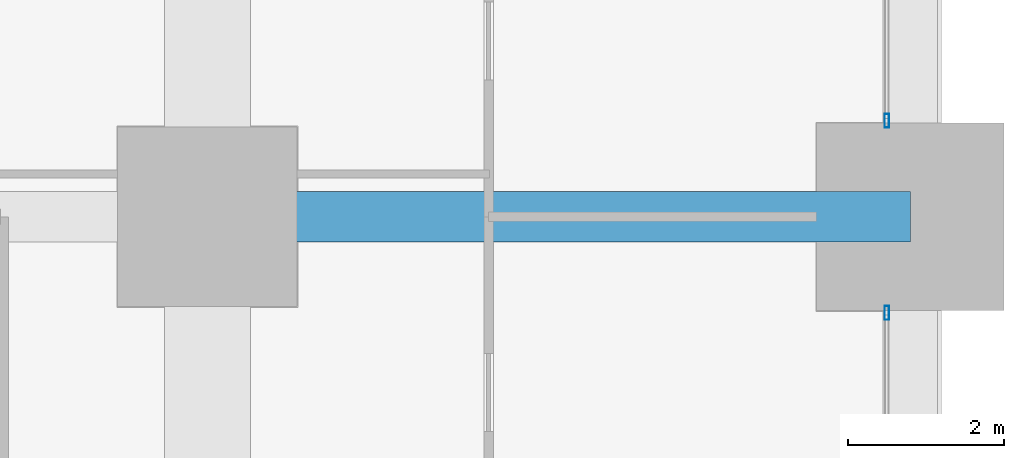
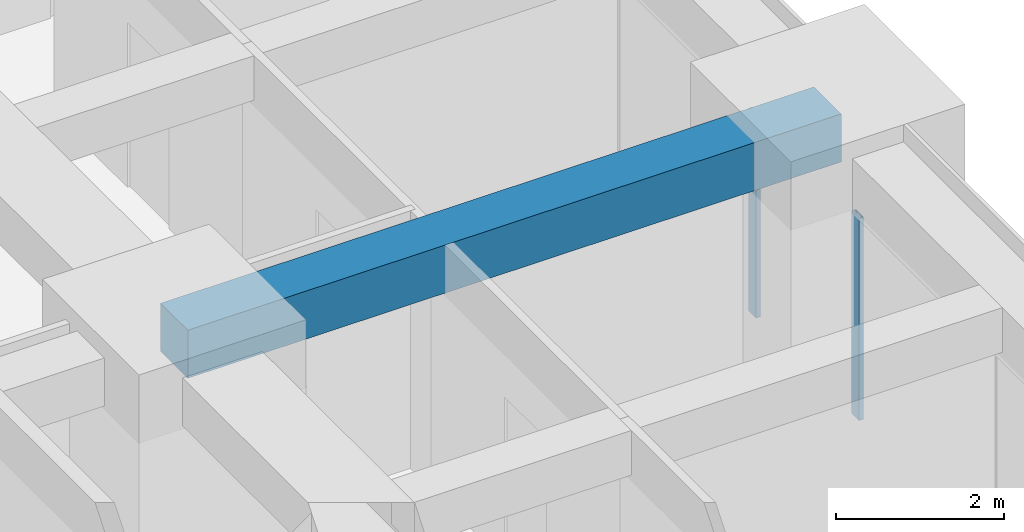
# One storey, part 32 of 45: 2 members, 1 beam, 2 elements without a shape of their own.
"""IFC4 building model written with IfcOpenShell, lengths in metres."""

from ifc_helpers import new_model, si_unit, direction, frame, origin, origin_2d, place, context, subcontext, project, spatial, rectangle, hollow_rectangle, extrude, material, material_profile, profile_set, type_object, element, aggregate, save


model = new_model("IFC4")

# Units and contexts
model_context = context("Model", 3, precision=1e-05, world=origin(), true_north=direction((0.0, 1.0)))
body_context = subcontext(model_context, "Body", "Model", "MODEL_VIEW")
ifc_project = project(units=[si_unit("LENGTHUNIT", "METRE"), si_unit("AREAUNIT", "SQUARE_METRE"), si_unit("VOLUMEUNIT", "CUBIC_METRE"), si_unit("PLANEANGLEUNIT", "RADIAN"), si_unit("MASSUNIT", "GRAM", prefix="KILO")], contexts=[model_context])

# Site, building, storey
site_placement = place(None, origin())
site = spatial("IfcSite", under=ifc_project, at=site_placement, CompositionType="ELEMENT")
building_placement = place(site_placement, origin())
building = spatial("IfcBuilding", under=site, at=building_placement, Name="Zorevar Civic Tower", CompositionType="ELEMENT")
storey_placement = place(building_placement, frame((0.0, 0.0, 27.800048828125)))
storey = spatial("IfcBuildingStorey", under=building, at=storey_placement, Name="L06", CompositionType="ELEMENT", Elevation=27.800048828125)

# Beam
ifc_material_1 = material(Name="Concrete C50/60", Category="concrete")
ifc_material_profile_1 = material_profile(ifc_material_1, rectangle(XDim=0.64990234375, YDim=0.699951171875, at=origin_2d()), Name="RC 650x700")
ifc_profile_set_1 = profile_set([ifc_material_profile_1], Name="Concrete C50/60")
beam_type = type_object("IfcBeamType", Name="Beam RC 650x700", PredefinedType="BEAM", material=ifc_profile_set_1)
beam_placement = place(storey_placement, frame((54.0, 36.0, 3.39990234375), z_axis=(1.0, 0.0, 0.0), x_axis=(0.0, 1.0, 0.0)))
element("IfcBeam", 1, at=beam_placement, inside=storey, type_object=beam_type, Name="Girder L07", PredefinedType="BEAM", context=body_context, shape_type="SweptSolid", body=[
    extrude(rectangle(XDim=0.64990234375, YDim=0.699951171875, at=origin_2d()), origin(), (0.0, 0.0, 1.0), 9.0),
])

# Curtain wall, member
ifc_material_2 = material(Name="Dark grey solar-control glass in black aluminium frame", Category="aluminium")
curtain_wall_type = type_object("IfcCurtainWallType", Name="Curtain wall CW2 low zone", PredefinedType="NOTDEFINED", material=ifc_material_2)
curtain_wall_1_placement = place(storey_placement, origin())
curtain_wall_1 = element("IfcCurtainWall", 2, at=curtain_wall_1_placement, inside=storey, type_object=curtain_wall_type, Name="CW2 L06", PredefinedType="NOTDEFINED")
ifc_material_3 = material(Name="Aluminium, black anodised", Category="aluminium")
ifc_material_profile_2 = material_profile(ifc_material_3, hollow_rectangle(XDim=0.06005859375, YDim=0.179931640625, WallThickness=0.00390625, at=origin_2d()), Name="AL 180x60x4")
ifc_profile_set_2 = profile_set([ifc_material_profile_2], Name="Aluminium, black anodised")
member_type = type_object("IfcMemberType", Name="CW2 mullion AL 180x60x4", PredefinedType="MULLION", material=ifc_profile_set_2)
member_1_placement = place(storey_placement, frame((62.699951171875, 34.77001953125, 0.0), z_axis=(0.0, 0.0, 1.0), x_axis=(-1.0, 0.0, 0.0)))
member_1 = element("IfcMember", 3, at=member_1_placement, type_object=member_type, Name="CW2 mullion 3", PredefinedType="MULLION", context=body_context, shape_type="SweptSolid", body=[
    extrude(hollow_rectangle(XDim=0.06005859375, YDim=0.179931640625, WallThickness=0.00390625, at=origin_2d()), origin(), (0.0, 0.0, 1.0), 2.949951171875),
])
aggregate(curtain_wall_1, [member_1])

curtain_wall_2_placement = place(storey_placement, origin())
curtain_wall_2 = element("IfcCurtainWall", 4, at=curtain_wall_2_placement, inside=storey, type_object=curtain_wall_type, Name="CW2 L06", PredefinedType="NOTDEFINED")
member_2_placement = place(storey_placement, frame((62.699951171875, 37.22998046875, 0.0), z_axis=(0.0, 0.0, 1.0), x_axis=(-1.0, 0.0, 0.0)))
member_2 = element("IfcMember", 5, at=member_2_placement, type_object=member_type, Name="CW2 mullion 1", PredefinedType="MULLION", context=body_context, shape_type="SweptSolid", body=[
    extrude(hollow_rectangle(XDim=0.06005859375, YDim=0.179931640625, WallThickness=0.00390625, at=origin_2d()), origin(), (0.0, 0.0, 1.0), 2.949951171875),
])
aggregate(curtain_wall_2, [member_2])

save(model, "model.ifc")
